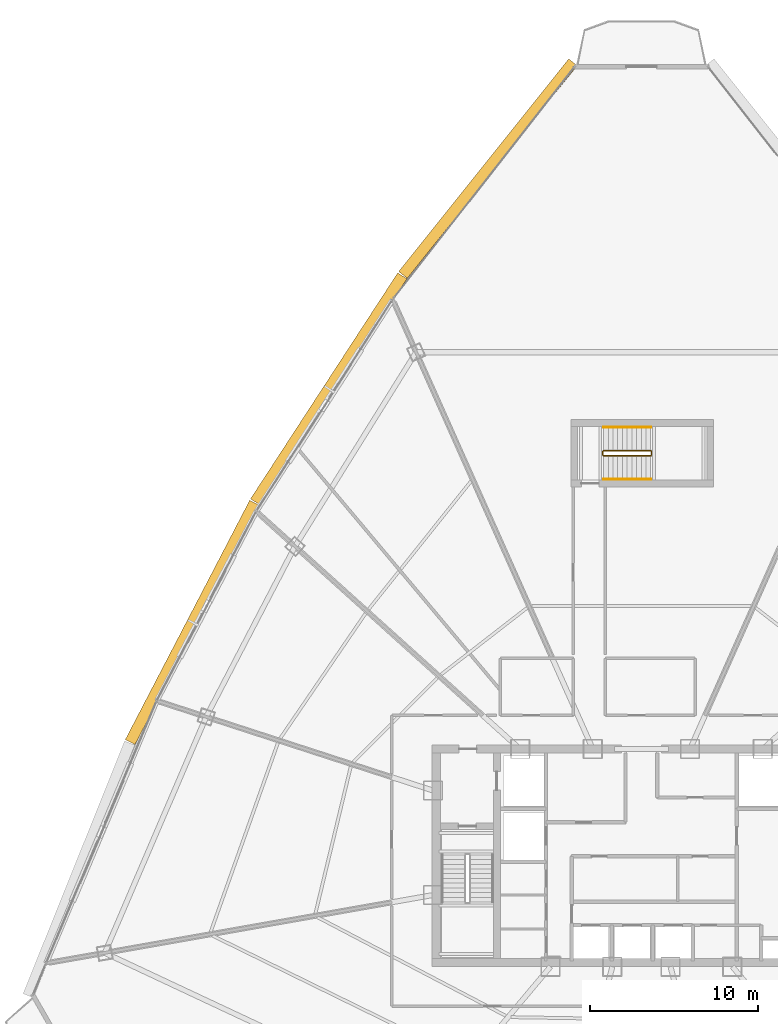
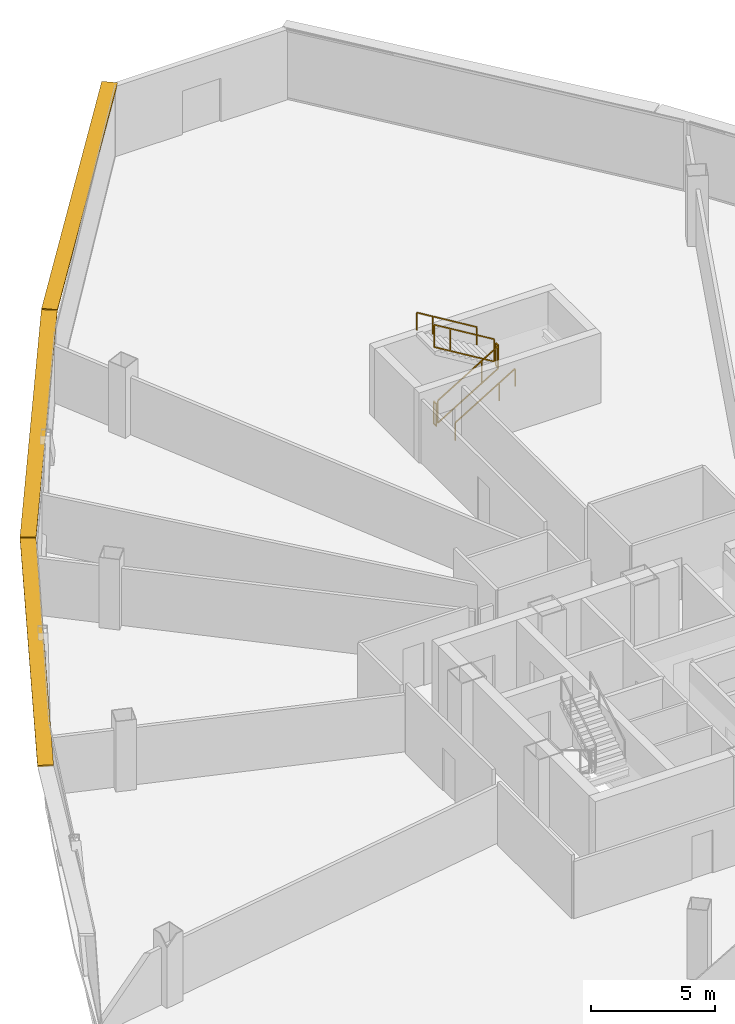
# One storey, part 33 of 34: 6 railings, 3 shading devices.
"""IFC4 building model written with IfcOpenShell, lengths in metres."""

from ifc_helpers import new_model, si_unit, direction, frame, origin, origin_2d, place, context, subcontext, project, spatial, rectangle, extrude, source, transform, mapped, material, layer, layer_set, type_object, element, save


model = new_model("IFC4")

# Units and contexts
model_context = context("Model", 3, precision=1e-05, world=origin(), true_north=direction((0.0, 1.0)))
body_context = subcontext(model_context, "Body", "Model", "MODEL_VIEW")
ifc_project = project(units=[si_unit("LENGTHUNIT", "METRE"), si_unit("AREAUNIT", "SQUARE_METRE"), si_unit("VOLUMEUNIT", "CUBIC_METRE"), si_unit("PLANEANGLEUNIT", "RADIAN"), si_unit("MASSUNIT", "GRAM", prefix="KILO"), si_unit("THERMODYNAMICTEMPERATUREUNIT", "KELVIN"), si_unit("POWERUNIT", "WATT")], contexts=[model_context])

# Site, building, storey
site_placement = place(None, origin())
site = spatial("IfcSite", under=ifc_project, at=site_placement, CompositionType="ELEMENT")
building_placement = place(site_placement, origin())
building = spatial("IfcBuilding", under=site, at=building_placement, Name="Yunzhuo Pagoda Commons", CompositionType="ELEMENT")
storey_placement = place(building_placement, frame((0.0, 0.0, 229.610107421875)))
storey = spatial("IfcBuildingStorey", under=building, at=storey_placement, Name="L57", CompositionType="ELEMENT", Elevation=229.610107421875)

# Railings
ifc_material = material(Name="Anodized aluminium 6063-T6", Category="aluminium")
railing_type_1 = type_object("IfcRailingType", Name="GR-ST3 North Well Guardrail 1155", PredefinedType="GUARDRAIL", material=ifc_material)
railing_1_placement = place(storey_placement, frame((45.75, 57.64990234375, 0.16943359375)))
element("IfcRailing", 1, at=railing_1_placement, inside=storey, type_object=railing_type_1, Name="L57 ST3 stair guard 1", PredefinedType="GUARDRAIL", context=body_context, shape_type="SweptSolid", body=[
    extrude(rectangle(XDim=0.048095703125, YDim=0.048095703125, at=origin_2d()), frame((0.0, 0.0, 1.1259765625), z_axis=(0.855393119324, 0.0, 0.517979354234), x_axis=(0.0, 1.0, 0.0)), (0.0, 0.0, 1.0), 3.2734375),
    extrude(rectangle(XDim=0.048095703125, YDim=0.048095703125, at=origin_2d()), frame((0.0, 0.0, 0.02392578125), z_axis=(0.855393119324, 0.0, 0.517979354234), x_axis=(0.0, 1.0, 0.0)), (0.0, 0.0, 1.0), 3.2734375),
    extrude(rectangle(XDim=0.0419921875, YDim=0.0419921875, at=origin_2d()), origin(), (0.0, 0.0, 1.0), 1.101806640625),
    extrude(rectangle(XDim=0.0419921875, YDim=0.0419921875, at=origin_2d()), frame((2.052978515625, 0.0, 1.2431640625)), (0.0, 0.0, 1.0), 1.101806640625),
    extrude(rectangle(XDim=0.0419921875, YDim=0.0419921875, at=origin_2d()), frame((2.800048828125, 0.0, 1.695556640625)), (0.0, 0.0, 1.0), 1.101806640625),
])
railing_2_placement = place(storey_placement, frame((48.60009765625, 57.699951171875, 1.864990234375)))
element("IfcRailing", 2, at=railing_2_placement, inside=storey, type_object=railing_type_1, Name="L57 ST3 stair guard 2", PredefinedType="GUARDRAIL", context=body_context, shape_type="SweptSolid", body=[
    extrude(rectangle(XDim=0.048095703125, YDim=0.048095703125, at=origin_2d()), frame((0.0, 0.0, 1.1259765625), z_axis=(0.0, 1.0, 0.0), x_axis=(-1.0, 0.0, 0.0)), (0.0, 0.0, 1.0), 0.199951171875),
    extrude(rectangle(XDim=0.048095703125, YDim=0.048095703125, at=origin_2d()), frame((0.0, 0.0, 0.02392578125), z_axis=(0.0, 1.0, 0.0), x_axis=(-1.0, 0.0, 0.0)), (0.0, 0.0, 1.0), 0.199951171875),
    extrude(rectangle(XDim=0.0419921875, YDim=0.0419921875, at=origin_2d()), origin(), (0.0, 0.0, 1.0), 1.101806640625),
    extrude(rectangle(XDim=0.0419921875, YDim=0.0419921875, at=origin_2d()), frame((0.0, 0.199951171875, 0.0)), (0.0, 0.0, 1.0), 1.101806640625),
])
railing_3_placement = place(storey_placement, frame((48.550048828125, 57.949951171875, 2.034423828125)))
element("IfcRailing", 3, at=railing_3_placement, inside=storey, type_object=railing_type_1, Name="L57 ST3 stair guard 3", PredefinedType="GUARDRAIL", context=body_context, shape_type="SweptSolid", body=[
    extrude(rectangle(XDim=0.048095703125, YDim=0.048095703125, at=origin_2d()), frame((0.0, 0.0, 1.1259765625), z_axis=(-0.855393119324, 0.0, 0.517979354234), x_axis=(0.0, -1.0, 0.0)), (0.0, 0.0, 1.0), 3.2734375),
    extrude(rectangle(XDim=0.048095703125, YDim=0.048095703125, at=origin_2d()), frame((0.0, 0.0, 0.02392578125), z_axis=(-0.855393119324, 0.0, 0.517979354234), x_axis=(0.0, -1.0, 0.0)), (0.0, 0.0, 1.0), 3.2734375),
    extrude(rectangle(XDim=0.0419921875, YDim=0.0419921875, at=origin_2d()), origin(), (0.0, 0.0, 1.0), 1.101806640625),
    extrude(rectangle(XDim=0.0419921875, YDim=0.0419921875, at=origin_2d()), frame((-2.052978515625, 0.0, 1.2431640625)), (0.0, 0.0, 1.0), 1.101806640625),
    extrude(rectangle(XDim=0.0419921875, YDim=0.0419921875, at=origin_2d()), frame((-2.800048828125, 0.0, 1.695556640625)), (0.0, 0.0, 1.0), 1.101806640625),
])
railing_4_placement = place(storey_placement, frame((45.699951171875, 57.699951171875, 0.0)))
element("IfcRailing", 4, at=railing_4_placement, inside=storey, type_object=railing_type_1, Name="L57 ST3 stair guard 4", PredefinedType="GUARDRAIL", context=body_context, shape_type="SweptSolid", body=[
    extrude(rectangle(XDim=0.048095703125, YDim=0.048095703125, at=origin_2d()), frame((0.0, 0.0, 1.1259765625), z_axis=(0.0, 1.0, 0.0), x_axis=(-1.0, 0.0, 0.0)), (0.0, 0.0, 1.0), 0.199951171875),
    extrude(rectangle(XDim=0.048095703125, YDim=0.048095703125, at=origin_2d()), frame((0.0, 0.0, 0.02392578125), z_axis=(0.0, 1.0, 0.0), x_axis=(-1.0, 0.0, 0.0)), (0.0, 0.0, 1.0), 0.199951171875),
    extrude(rectangle(XDim=0.0419921875, YDim=0.0419921875, at=origin_2d()), origin(), (0.0, 0.0, 1.0), 1.101806640625),
    extrude(rectangle(XDim=0.0419921875, YDim=0.0419921875, at=origin_2d()), frame((0.0, 0.199951171875, 0.0)), (0.0, 0.0, 1.0), 1.101806640625),
])
railing_type_2 = type_object("IfcRailingType", Name="HR-ST3 North Stair Handrail 900", PredefinedType="HANDRAIL", material=ifc_material)
railing_5_placement = place(storey_placement, frame((45.75, 56.25, 0.16943359375)))
element("IfcRailing", 5, at=railing_5_placement, inside=storey, type_object=railing_type_2, Name="L57 ST3 stair handrail 1", PredefinedType="HANDRAIL", context=body_context, shape_type="SweptSolid", body=[
    extrude(rectangle(XDim=0.048095703125, YDim=0.048095703125, at=origin_2d()), frame((0.0, 0.0, 0.8759765625), z_axis=(0.855393119324, 0.0, 0.517979354234), x_axis=(0.0, 1.0, 0.0)), (0.0, 0.0, 1.0), 3.2734375),
    extrude(rectangle(XDim=0.0419921875, YDim=0.0419921875, at=origin_2d()), origin(), (0.0, 0.0, 1.0), 0.851806640625),
    extrude(rectangle(XDim=0.0419921875, YDim=0.0419921875, at=origin_2d()), frame((2.052978515625, 0.0, 1.2431640625)), (0.0, 0.0, 1.0), 0.851806640625),
    extrude(rectangle(XDim=0.0419921875, YDim=0.0419921875, at=origin_2d()), frame((2.800048828125, 0.0, 1.695556640625)), (0.0, 0.0, 1.0), 0.851806640625),
])
railing_6_placement = place(storey_placement, frame((48.550048828125, 59.35009765625, 2.034423828125)))
element("IfcRailing", 6, at=railing_6_placement, inside=storey, type_object=railing_type_2, Name="L57 ST3 stair handrail 2", PredefinedType="HANDRAIL", context=body_context, shape_type="SweptSolid", body=[
    extrude(rectangle(XDim=0.048095703125, YDim=0.048095703125, at=origin_2d()), frame((0.0, 0.0, 0.8759765625), z_axis=(-0.855393119324, 0.0, 0.517979354234), x_axis=(0.0, -1.0, 0.0)), (0.0, 0.0, 1.0), 3.2734375),
    extrude(rectangle(XDim=0.0419921875, YDim=0.0419921875, at=origin_2d()), origin(), (0.0, 0.0, 1.0), 0.851806640625),
    extrude(rectangle(XDim=0.0419921875, YDim=0.0419921875, at=origin_2d()), frame((-2.052978515625, 0.0, 1.2431640625)), (0.0, 0.0, 1.0), 0.851806640625),
    extrude(rectangle(XDim=0.0419921875, YDim=0.0419921875, at=origin_2d()), frame((-2.800048828125, 0.0, 1.695556640625)), (0.0, 0.0, 1.0), 0.851806640625),
])

# Shading devices
ifc_layer = layer(ifc_material, 0.080078125)
ifc_layer_set = layer_set([ifc_layer], Name="Anodized aluminium 6063-T6")
shading_device_type = type_object("IfcShadingDeviceType", Name="SH-SUN1 Pagoda Horizontal Sunshade Eave 650", PredefinedType="USERDEFINED", material=ifc_layer_set)
shared_shape_1 = source(origin(), body_context, "Body", "SweptSolid", [
    extrude(rectangle(XDim=16.2041015625, YDim=0.64990234375, at=origin_2d()), origin(), (0.0, 0.0, 1.0), 0.080078125),
])
shading_device_placement = place(storey_placement, frame((38.869384765625, 74.73828125, 3.389892578125), z_axis=(0.0, 0.0, 1.0), x_axis=(-0.624520471688, -0.781008438138, 0.0)))
element("IfcShadingDevice", 7, at=shading_device_placement, inside=storey, type_object=shading_device_type, Name="L57 horizontal pagoda sunshade eave F3.1", ObjectType="SUNSHADE", PredefinedType="USERDEFINED", context=body_context, shape_type="MappedRepresentation", body=[
    mapped(shared_shape_1, transform((0.0, 0.0, 0.0), scale=1.0)),
])
shared_shape_2 = source(origin(), body_context, "Body", "SweptSolid", [
    extrude(rectangle(XDim=16.05029296875, YDim=0.64990234375, at=origin_2d()), origin(), (0.0, 0.0, 1.0), 0.080078125),
])
for number, where, z_axis, x_axis, name in (
    (8, (29.391845703125, 61.63525390625, 3.389892578125), (0.0, 0.0, 1.0), (-0.545838756973, -0.837890238269, 0.0), "L57 horizontal pagoda sunshade eave F3.2"),
    (9, (21.2783203125, 47.735595703125, 3.389892578125), (0.0, 0.0, 1.0), (-0.461206683033, -0.88729273384, 0.0), "L57 horizontal pagoda sunshade eave F3.3"),
):
    element("IfcShadingDevice", number, at=place(storey_placement, frame(where, z_axis=z_axis, x_axis=x_axis)), inside=storey, type_object=shading_device_type, Name=name, ObjectType="SUNSHADE", PredefinedType="USERDEFINED", context=body_context, shape_type="MappedRepresentation", body=[
        mapped(shared_shape_2, transform((0.0, 0.0, 0.0), scale=1.0)),
    ])

save(model, "model.ifc")
